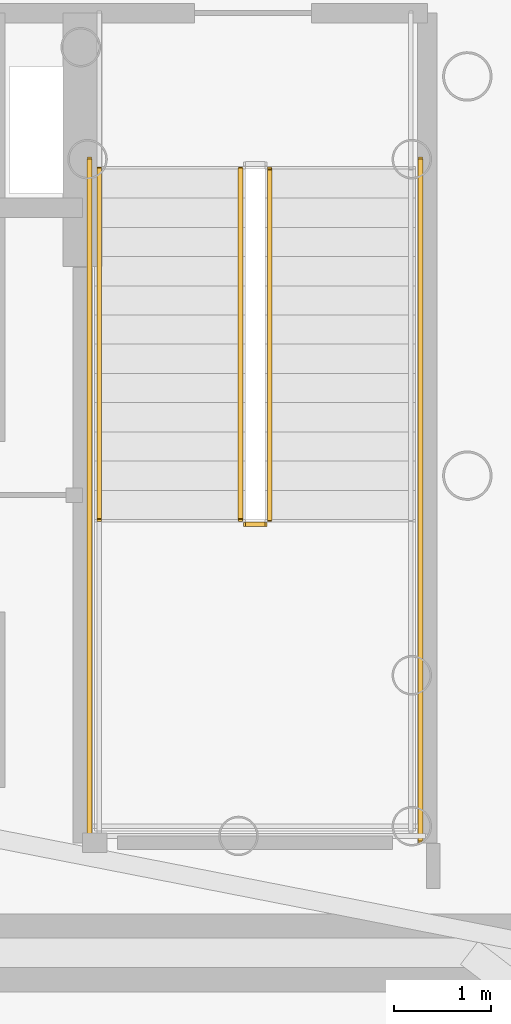
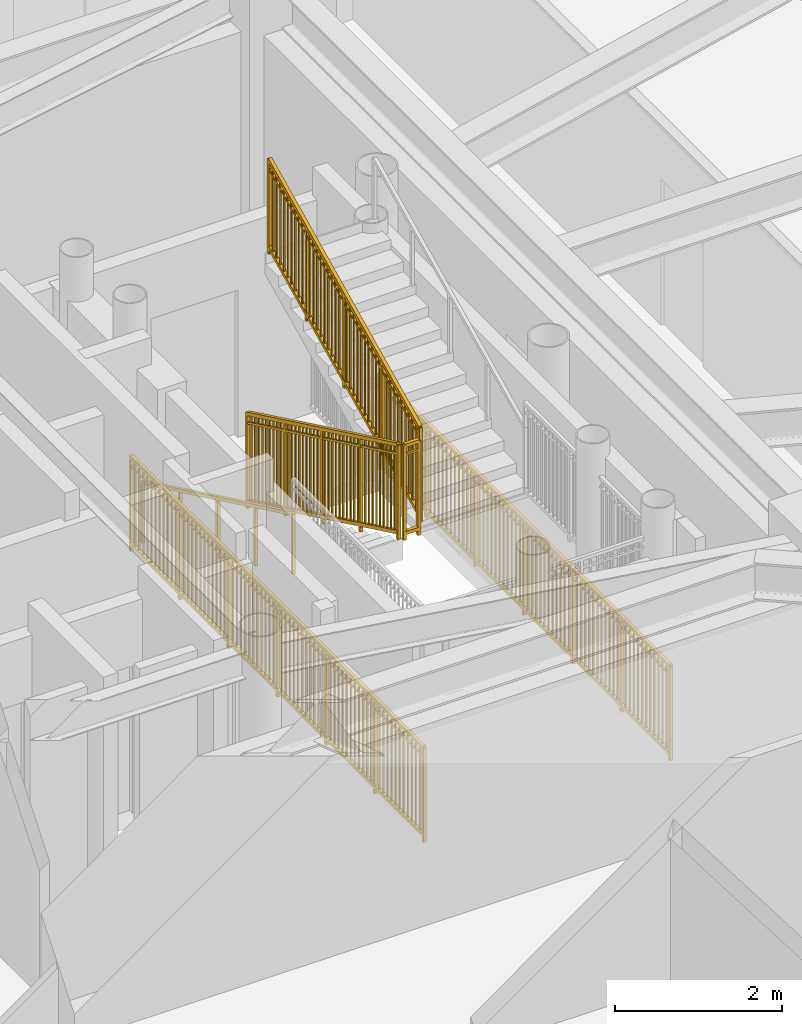
# One storey, part 20 of 21: 6 railings.
"""IFC4 building model written with IfcOpenShell, lengths in metres."""

from ifc_helpers import new_model, si_unit, direction, frame, origin, origin_2d, place, context, subcontext, project, spatial, rectangle, extrude, source, transform, mapped, material, type_object, element, save


model = new_model("IFC4")

# Units and contexts
model_context = context("Model", 3, precision=1e-05, world=origin(), true_north=direction((0.0, 1.0)))
body_context = subcontext(model_context, "Body", "Model", "MODEL_VIEW")
ifc_project = project(units=[si_unit("LENGTHUNIT", "METRE"), si_unit("AREAUNIT", "SQUARE_METRE"), si_unit("VOLUMEUNIT", "CUBIC_METRE"), si_unit("PLANEANGLEUNIT", "RADIAN"), si_unit("MASSUNIT", "GRAM", prefix="KILO")], contexts=[model_context])

# Site, building, storey
site_placement = place(None, origin())
site = spatial("IfcSite", under=ifc_project, at=site_placement, CompositionType="ELEMENT")
building_placement = place(site_placement, origin())
building = spatial("IfcBuilding", under=site, at=building_placement, Name="Linh Dai School and Residence Tower", CompositionType="ELEMENT")
storey_placement = place(building_placement, frame((0.0, 0.0, 115.949951171875)))
storey = spatial("IfcBuildingStorey", under=building, at=storey_placement, Name="L27", CompositionType="ELEMENT", Elevation=115.949951171875)

# Railings
ifc_material_1 = material(Name="Structural Steel S355JR", Category="steel")
railing_type_1 = type_object("IfcRailingType", Name="RL-ST-GUARD-1400", PredefinedType="GUARDRAIL", material=ifc_material_1)
shared_shape_1 = source(origin(), body_context, "Body", "SweptSolid", [
    extrude(rectangle(XDim=0.048095703125, YDim=0.048095703125, at=origin_2d()), frame((0.0, 0.0, 1.3759765625), z_axis=(0.0, 0.901262522062, 0.433273431364), x_axis=(-1.0, 0.0, 0.0)), (0.0, 0.0, 1.0), 3.994384765625),
    extrude(rectangle(XDim=0.048095703125, YDim=0.048095703125, at=origin_2d()), frame((0.0, 0.0, 0.10009765625), z_axis=(0.0, 0.901262522062, 0.433273431364), x_axis=(-1.0, 0.0, 0.0)), (0.0, 0.0, 1.0), 3.994384765625),
    extrude(rectangle(XDim=0.030029296875, YDim=0.030029296875, at=origin_2d()), frame((0.0, 0.0, 1.239990234375), z_axis=(0.0, 0.901262522062, 0.433273431364), x_axis=(-1.0, 0.0, 0.0)), (0.0, 0.0, 1.0), 3.994384765625),
    extrude(rectangle(XDim=0.02001953125, YDim=0.02001953125, at=origin_2d()), frame((0.0, 0.087890625, 0.142333984375)), (0.0, 0.0, 1.0), 1.251708984375),
    extrude(rectangle(XDim=0.02001953125, YDim=0.02001953125, at=origin_2d()), frame((0.0, 0.175537109375, 0.1845703125)), (0.0, 0.0, 1.0), 1.251708984375),
    extrude(rectangle(XDim=0.02001953125, YDim=0.02001953125, at=origin_2d()), frame((0.0, 0.263427734375, 0.226806640625)), (0.0, 0.0, 1.0), 1.251708984375),
    extrude(rectangle(XDim=0.02001953125, YDim=0.02001953125, at=origin_2d()), frame((0.0, 0.351318359375, 0.26904296875)), (0.0, 0.0, 1.0), 1.251708984375),
    extrude(rectangle(XDim=0.02001953125, YDim=0.02001953125, at=origin_2d()), frame((0.0, 0.43896484375, 0.311279296875)), (0.0, 0.0, 1.0), 1.251708984375),
    extrude(rectangle(XDim=0.02001953125, YDim=0.02001953125, at=origin_2d()), frame((0.0, 0.52685546875, 0.353271484375)), (0.0, 0.0, 1.0), 1.251708984375),
    extrude(rectangle(XDim=0.02001953125, YDim=0.02001953125, at=origin_2d()), frame((0.0, 0.61474609375, 0.3955078125)), (0.0, 0.0, 1.0), 1.251708984375),
    extrude(rectangle(XDim=0.02001953125, YDim=0.02001953125, at=origin_2d()), frame((0.0, 0.702392578125, 0.437744140625)), (0.0, 0.0, 1.0), 1.251708984375),
    extrude(rectangle(XDim=0.02001953125, YDim=0.02001953125, at=origin_2d()), frame((0.0, 0.790283203125, 0.47998046875)), (0.0, 0.0, 1.0), 1.251708984375),
    extrude(rectangle(XDim=0.02001953125, YDim=0.02001953125, at=origin_2d()), frame((0.0, 0.9658203125, 0.564453125)), (0.0, 0.0, 1.0), 1.251708984375),
    extrude(rectangle(XDim=0.02001953125, YDim=0.02001953125, at=origin_2d()), frame((0.0, 1.0537109375, 0.606689453125)), (0.0, 0.0, 1.0), 1.251708984375),
    extrude(rectangle(XDim=0.02001953125, YDim=0.02001953125, at=origin_2d()), frame((0.0, 1.1416015625, 0.64892578125)), (0.0, 0.0, 1.0), 1.251708984375),
    extrude(rectangle(XDim=0.02001953125, YDim=0.02001953125, at=origin_2d()), frame((0.0, 1.229248046875, 0.691162109375)), (0.0, 0.0, 1.0), 1.251708984375),
    extrude(rectangle(XDim=0.02001953125, YDim=0.02001953125, at=origin_2d()), frame((0.0, 1.317138671875, 0.7333984375)), (0.0, 0.0, 1.0), 1.251708984375),
    extrude(rectangle(XDim=0.02001953125, YDim=0.02001953125, at=origin_2d()), frame((0.0, 1.405029296875, 0.775390625)), (0.0, 0.0, 1.0), 1.251708984375),
    extrude(rectangle(XDim=0.02001953125, YDim=0.02001953125, at=origin_2d()), frame((0.0, 1.49267578125, 0.817626953125)), (0.0, 0.0, 1.0), 1.251708984375),
    extrude(rectangle(XDim=0.02001953125, YDim=0.02001953125, at=origin_2d()), frame((0.0, 1.58056640625, 0.85986328125)), (0.0, 0.0, 1.0), 1.251708984375),
    extrude(rectangle(XDim=0.02001953125, YDim=0.02001953125, at=origin_2d()), frame((0.0, 1.66845703125, 0.902099609375)), (0.0, 0.0, 1.0), 1.251708984375),
    extrude(rectangle(XDim=0.02001953125, YDim=0.02001953125, at=origin_2d()), frame((0.0, 1.756103515625, 0.9443359375)), (0.0, 0.0, 1.0), 1.251708984375),
    extrude(rectangle(XDim=0.02001953125, YDim=0.02001953125, at=origin_2d()), frame((0.0, 1.843994140625, 0.986572265625)), (0.0, 0.0, 1.0), 1.251708984375),
    extrude(rectangle(XDim=0.02001953125, YDim=0.02001953125, at=origin_2d()), frame((0.0, 1.931640625, 1.02880859375)), (0.0, 0.0, 1.0), 1.251708984375),
    extrude(rectangle(XDim=0.02001953125, YDim=0.02001953125, at=origin_2d()), frame((0.0, 2.01953125, 1.071044921875)), (0.0, 0.0, 1.0), 1.251708984375),
    extrude(rectangle(XDim=0.02001953125, YDim=0.02001953125, at=origin_2d()), frame((0.0, 2.107421875, 1.11328125)), (0.0, 0.0, 1.0), 1.251708984375),
    extrude(rectangle(XDim=0.02001953125, YDim=0.02001953125, at=origin_2d()), frame((0.0, 2.195068359375, 1.155517578125)), (0.0, 0.0, 1.0), 1.251708984375),
    extrude(rectangle(XDim=0.02001953125, YDim=0.02001953125, at=origin_2d()), frame((0.0, 2.282958984375, 1.197509765625)), (0.0, 0.0, 1.0), 1.251708984375),
    extrude(rectangle(XDim=0.02001953125, YDim=0.02001953125, at=origin_2d()), frame((0.0, 2.370849609375, 1.23974609375)), (0.0, 0.0, 1.0), 1.251708984375),
    extrude(rectangle(XDim=0.02001953125, YDim=0.02001953125, at=origin_2d()), frame((0.0, 2.45849609375, 1.281982421875)), (0.0, 0.0, 1.0), 1.251708984375),
    extrude(rectangle(XDim=0.02001953125, YDim=0.02001953125, at=origin_2d()), frame((0.0, 2.54638671875, 1.32421875)), (0.0, 0.0, 1.0), 1.251708984375),
    extrude(rectangle(XDim=0.02001953125, YDim=0.02001953125, at=origin_2d()), frame((0.0, 2.63427734375, 1.366455078125)), (0.0, 0.0, 1.0), 1.251708984375),
    extrude(rectangle(XDim=0.02001953125, YDim=0.02001953125, at=origin_2d()), frame((0.0, 2.809814453125, 1.450927734375)), (0.0, 0.0, 1.0), 1.251708984375),
    extrude(rectangle(XDim=0.02001953125, YDim=0.02001953125, at=origin_2d()), frame((0.0, 2.897705078125, 1.4931640625)), (0.0, 0.0, 1.0), 1.251708984375),
    extrude(rectangle(XDim=0.02001953125, YDim=0.02001953125, at=origin_2d()), frame((0.0, 2.9853515625, 1.535400390625)), (0.0, 0.0, 1.0), 1.251708984375),
    extrude(rectangle(XDim=0.02001953125, YDim=0.02001953125, at=origin_2d()), frame((0.0, 3.0732421875, 1.57763671875)), (0.0, 0.0, 1.0), 1.251708984375),
    extrude(rectangle(XDim=0.02001953125, YDim=0.02001953125, at=origin_2d()), frame((0.0, 3.1611328125, 1.61962890625)), (0.0, 0.0, 1.0), 1.251708984375),
    extrude(rectangle(XDim=0.02001953125, YDim=0.02001953125, at=origin_2d()), frame((0.0, 3.248779296875, 1.661865234375)), (0.0, 0.0, 1.0), 1.251708984375),
    extrude(rectangle(XDim=0.02001953125, YDim=0.02001953125, at=origin_2d()), frame((0.0, 3.336669921875, 1.7041015625)), (0.0, 0.0, 1.0), 1.251708984375),
    extrude(rectangle(XDim=0.02001953125, YDim=0.02001953125, at=origin_2d()), frame((0.0, 3.424560546875, 1.746337890625)), (0.0, 0.0, 1.0), 1.251708984375),
    extrude(rectangle(XDim=0.02001953125, YDim=0.02001953125, at=origin_2d()), frame((0.0, 3.51220703125, 1.78857421875)), (0.0, 0.0, 1.0), 1.251708984375),
    extrude(rectangle(XDim=0.0419921875, YDim=0.0419921875, at=origin_2d()), origin(), (0.0, 0.0, 1.0), 1.3759765625),
    extrude(rectangle(XDim=0.0419921875, YDim=0.0419921875, at=origin_2d()), frame((0.0, 0.89990234375, 0.4326171875)), (0.0, 0.0, 1.0), 1.3759765625),
    extrude(rectangle(XDim=0.0419921875, YDim=0.0419921875, at=origin_2d()), frame((0.0, 1.800048828125, 0.865234375)), (0.0, 0.0, 1.0), 1.3759765625),
    extrude(rectangle(XDim=0.0419921875, YDim=0.0419921875, at=origin_2d()), frame((0.0, 2.7001953125, 1.298095703125)), (0.0, 0.0, 1.0), 1.3759765625),
    extrude(rectangle(XDim=0.0419921875, YDim=0.0419921875, at=origin_2d()), frame((0.0, 3.60009765625, 1.730712890625)), (0.0, 0.0, 1.0), 1.3759765625),
])
railing_1_placement = place(storey_placement, frame((42.820068359375, 24.64990234375, 2.019287109375)))
element("IfcRailing", 1, at=railing_1_placement, inside=storey, type_object=railing_type_1, Name="L27 ST2 stair guard 6", PredefinedType="GUARDRAIL", context=body_context, shape_type="MappedRepresentation", body=[
    mapped(shared_shape_1, transform((0.0, 0.0, 0.0), x_axis=(1.0, 0.0, 0.0), y_axis=(0.0, 1.0, 0.0), z_axis=(0.0, 0.0, 1.0), scale=1.0)),
])
shared_shape_2 = source(origin(), body_context, "Body", "SweptSolid", [
    extrude(rectangle(XDim=0.048095703125, YDim=0.048095703125, at=origin_2d()), frame((0.0, 0.0, 1.3759765625), z_axis=(0.0, -0.901262522062, 0.433273431364), x_axis=(1.0, 0.0, 0.0)), (0.0, 0.0, 1.0), 3.994384765625),
    extrude(rectangle(XDim=0.048095703125, YDim=0.048095703125, at=origin_2d()), frame((0.0, 0.0, 0.10009765625), z_axis=(0.0, -0.901262522062, 0.433273431364), x_axis=(1.0, 0.0, 0.0)), (0.0, 0.0, 1.0), 3.994384765625),
    extrude(rectangle(XDim=0.030029296875, YDim=0.030029296875, at=origin_2d()), frame((0.0, 0.0, 1.239990234375), z_axis=(0.0, -0.901262522062, 0.433273431364), x_axis=(1.0, 0.0, 0.0)), (0.0, 0.0, 1.0), 3.994384765625),
    extrude(rectangle(XDim=0.02001953125, YDim=0.02001953125, at=origin_2d()), frame((0.0, -0.087890625, 0.142333984375)), (0.0, 0.0, 1.0), 1.251708984375),
    extrude(rectangle(XDim=0.02001953125, YDim=0.02001953125, at=origin_2d()), frame((0.0, -0.175537109375, 0.1845703125)), (0.0, 0.0, 1.0), 1.251708984375),
    extrude(rectangle(XDim=0.02001953125, YDim=0.02001953125, at=origin_2d()), frame((0.0, -0.263427734375, 0.226806640625)), (0.0, 0.0, 1.0), 1.251708984375),
    extrude(rectangle(XDim=0.02001953125, YDim=0.02001953125, at=origin_2d()), frame((0.0, -0.351318359375, 0.26904296875)), (0.0, 0.0, 1.0), 1.251708984375),
    extrude(rectangle(XDim=0.02001953125, YDim=0.02001953125, at=origin_2d()), frame((0.0, -0.43896484375, 0.311279296875)), (0.0, 0.0, 1.0), 1.251708984375),
    extrude(rectangle(XDim=0.02001953125, YDim=0.02001953125, at=origin_2d()), frame((0.0, -0.52685546875, 0.353271484375)), (0.0, 0.0, 1.0), 1.251708984375),
    extrude(rectangle(XDim=0.02001953125, YDim=0.02001953125, at=origin_2d()), frame((0.0, -0.61474609375, 0.3955078125)), (0.0, 0.0, 1.0), 1.251708984375),
    extrude(rectangle(XDim=0.02001953125, YDim=0.02001953125, at=origin_2d()), frame((0.0, -0.702392578125, 0.437744140625)), (0.0, 0.0, 1.0), 1.251708984375),
    extrude(rectangle(XDim=0.02001953125, YDim=0.02001953125, at=origin_2d()), frame((0.0, -0.790283203125, 0.47998046875)), (0.0, 0.0, 1.0), 1.251708984375),
    extrude(rectangle(XDim=0.02001953125, YDim=0.02001953125, at=origin_2d()), frame((0.0, -0.9658203125, 0.564453125)), (0.0, 0.0, 1.0), 1.251708984375),
    extrude(rectangle(XDim=0.02001953125, YDim=0.02001953125, at=origin_2d()), frame((0.0, -1.0537109375, 0.606689453125)), (0.0, 0.0, 1.0), 1.251708984375),
    extrude(rectangle(XDim=0.02001953125, YDim=0.02001953125, at=origin_2d()), frame((0.0, -1.1416015625, 0.64892578125)), (0.0, 0.0, 1.0), 1.251708984375),
    extrude(rectangle(XDim=0.02001953125, YDim=0.02001953125, at=origin_2d()), frame((0.0, -1.229248046875, 0.691162109375)), (0.0, 0.0, 1.0), 1.251708984375),
    extrude(rectangle(XDim=0.02001953125, YDim=0.02001953125, at=origin_2d()), frame((0.0, -1.317138671875, 0.7333984375)), (0.0, 0.0, 1.0), 1.251708984375),
    extrude(rectangle(XDim=0.02001953125, YDim=0.02001953125, at=origin_2d()), frame((0.0, -1.405029296875, 0.775390625)), (0.0, 0.0, 1.0), 1.251708984375),
    extrude(rectangle(XDim=0.02001953125, YDim=0.02001953125, at=origin_2d()), frame((0.0, -1.49267578125, 0.817626953125)), (0.0, 0.0, 1.0), 1.251708984375),
    extrude(rectangle(XDim=0.02001953125, YDim=0.02001953125, at=origin_2d()), frame((0.0, -1.58056640625, 0.85986328125)), (0.0, 0.0, 1.0), 1.251708984375),
    extrude(rectangle(XDim=0.02001953125, YDim=0.02001953125, at=origin_2d()), frame((0.0, -1.66845703125, 0.902099609375)), (0.0, 0.0, 1.0), 1.251708984375),
    extrude(rectangle(XDim=0.02001953125, YDim=0.02001953125, at=origin_2d()), frame((0.0, -1.756103515625, 0.9443359375)), (0.0, 0.0, 1.0), 1.251708984375),
    extrude(rectangle(XDim=0.02001953125, YDim=0.02001953125, at=origin_2d()), frame((0.0, -1.843994140625, 0.986572265625)), (0.0, 0.0, 1.0), 1.251708984375),
    extrude(rectangle(XDim=0.02001953125, YDim=0.02001953125, at=origin_2d()), frame((0.0, -1.931640625, 1.02880859375)), (0.0, 0.0, 1.0), 1.251708984375),
    extrude(rectangle(XDim=0.02001953125, YDim=0.02001953125, at=origin_2d()), frame((0.0, -2.01953125, 1.071044921875)), (0.0, 0.0, 1.0), 1.251708984375),
    extrude(rectangle(XDim=0.02001953125, YDim=0.02001953125, at=origin_2d()), frame((0.0, -2.107421875, 1.11328125)), (0.0, 0.0, 1.0), 1.251708984375),
    extrude(rectangle(XDim=0.02001953125, YDim=0.02001953125, at=origin_2d()), frame((0.0, -2.195068359375, 1.155517578125)), (0.0, 0.0, 1.0), 1.251708984375),
    extrude(rectangle(XDim=0.02001953125, YDim=0.02001953125, at=origin_2d()), frame((0.0, -2.282958984375, 1.197509765625)), (0.0, 0.0, 1.0), 1.251708984375),
    extrude(rectangle(XDim=0.02001953125, YDim=0.02001953125, at=origin_2d()), frame((0.0, -2.370849609375, 1.23974609375)), (0.0, 0.0, 1.0), 1.251708984375),
    extrude(rectangle(XDim=0.02001953125, YDim=0.02001953125, at=origin_2d()), frame((0.0, -2.45849609375, 1.281982421875)), (0.0, 0.0, 1.0), 1.251708984375),
    extrude(rectangle(XDim=0.02001953125, YDim=0.02001953125, at=origin_2d()), frame((0.0, -2.54638671875, 1.32421875)), (0.0, 0.0, 1.0), 1.251708984375),
    extrude(rectangle(XDim=0.02001953125, YDim=0.02001953125, at=origin_2d()), frame((0.0, -2.63427734375, 1.366455078125)), (0.0, 0.0, 1.0), 1.251708984375),
    extrude(rectangle(XDim=0.02001953125, YDim=0.02001953125, at=origin_2d()), frame((0.0, -2.809814453125, 1.450927734375)), (0.0, 0.0, 1.0), 1.251708984375),
    extrude(rectangle(XDim=0.02001953125, YDim=0.02001953125, at=origin_2d()), frame((0.0, -2.897705078125, 1.4931640625)), (0.0, 0.0, 1.0), 1.251708984375),
    extrude(rectangle(XDim=0.02001953125, YDim=0.02001953125, at=origin_2d()), frame((0.0, -2.9853515625, 1.535400390625)), (0.0, 0.0, 1.0), 1.251708984375),
    extrude(rectangle(XDim=0.02001953125, YDim=0.02001953125, at=origin_2d()), frame((0.0, -3.0732421875, 1.57763671875)), (0.0, 0.0, 1.0), 1.251708984375),
    extrude(rectangle(XDim=0.02001953125, YDim=0.02001953125, at=origin_2d()), frame((0.0, -3.1611328125, 1.61962890625)), (0.0, 0.0, 1.0), 1.251708984375),
    extrude(rectangle(XDim=0.02001953125, YDim=0.02001953125, at=origin_2d()), frame((0.0, -3.248779296875, 1.661865234375)), (0.0, 0.0, 1.0), 1.251708984375),
    extrude(rectangle(XDim=0.02001953125, YDim=0.02001953125, at=origin_2d()), frame((0.0, -3.336669921875, 1.7041015625)), (0.0, 0.0, 1.0), 1.251708984375),
    extrude(rectangle(XDim=0.02001953125, YDim=0.02001953125, at=origin_2d()), frame((0.0, -3.424560546875, 1.746337890625)), (0.0, 0.0, 1.0), 1.251708984375),
    extrude(rectangle(XDim=0.02001953125, YDim=0.02001953125, at=origin_2d()), frame((0.0, -3.51220703125, 1.78857421875)), (0.0, 0.0, 1.0), 1.251708984375),
    extrude(rectangle(XDim=0.0419921875, YDim=0.0419921875, at=origin_2d()), origin(), (0.0, 0.0, 1.0), 1.3759765625),
    extrude(rectangle(XDim=0.0419921875, YDim=0.0419921875, at=origin_2d()), frame((0.0, -0.89990234375, 0.4326171875)), (0.0, 0.0, 1.0), 1.3759765625),
    extrude(rectangle(XDim=0.0419921875, YDim=0.0419921875, at=origin_2d()), frame((0.0, -1.800048828125, 0.865234375)), (0.0, 0.0, 1.0), 1.3759765625),
    extrude(rectangle(XDim=0.0419921875, YDim=0.0419921875, at=origin_2d()), frame((0.0, -2.7001953125, 1.298095703125)), (0.0, 0.0, 1.0), 1.3759765625),
    extrude(rectangle(XDim=0.0419921875, YDim=0.0419921875, at=origin_2d()), frame((0.0, -3.60009765625, 1.730712890625)), (0.0, 0.0, 1.0), 1.3759765625),
])
railing_2_placement = place(storey_placement, frame((42.52001953125, 28.25, 0.144287109375)))
element("IfcRailing", 2, at=railing_2_placement, inside=storey, type_object=railing_type_1, Name="L27 ST2 stair guard 1", PredefinedType="GUARDRAIL", context=body_context, shape_type="MappedRepresentation", body=[
    mapped(shared_shape_2, transform((0.0, 0.0, 0.0), x_axis=(1.0, 0.0, 0.0), y_axis=(0.0, 1.0, 0.0), z_axis=(0.0, 0.0, 1.0), scale=1.0)),
])
ifc_material_2 = material(Name="Brushed Stainless Steel Handrail", Category="steel")
railing_type_2 = type_object("IfcRailingType", Name="RL-ST-HANDRAIL-900", PredefinedType="HANDRAIL", material=ifc_material_2)
shared_shape_3 = source(origin(), body_context, "Body", "SweptSolid", [
    extrude(rectangle(XDim=0.048095703125, YDim=0.048095703125, at=origin_2d()), frame((0.0, 0.0, 0.8759765625), z_axis=(0.0, -0.901262522062, 0.433273431364), x_axis=(1.0, 0.0, 0.0)), (0.0, 0.0, 1.0), 3.994384765625),
    extrude(rectangle(XDim=0.0419921875, YDim=0.0419921875, at=origin_2d()), origin(), (0.0, 0.0, 1.0), 0.8759765625),
    extrude(rectangle(XDim=0.0419921875, YDim=0.0419921875, at=origin_2d()), frame((0.0, -0.89990234375, 0.4326171875)), (0.0, 0.0, 1.0), 0.8759765625),
    extrude(rectangle(XDim=0.0419921875, YDim=0.0419921875, at=origin_2d()), frame((0.0, -1.800048828125, 0.865234375)), (0.0, 0.0, 1.0), 0.8759765625),
    extrude(rectangle(XDim=0.0419921875, YDim=0.0419921875, at=origin_2d()), frame((0.0, -2.7001953125, 1.298095703125)), (0.0, 0.0, 1.0), 0.8759765625),
    extrude(rectangle(XDim=0.0419921875, YDim=0.0419921875, at=origin_2d()), frame((0.0, -3.60009765625, 1.730712890625)), (0.0, 0.0, 1.0), 0.8759765625),
])
railing_3_placement = place(storey_placement, frame((41.070068359375, 28.25, 0.144287109375)))
element("IfcRailing", 3, at=railing_3_placement, inside=storey, type_object=railing_type_2, Name="L27 ST2 stair handrail 1", PredefinedType="HANDRAIL", context=body_context, shape_type="MappedRepresentation", body=[
    mapped(shared_shape_3, transform((0.0, 0.0, 0.0), x_axis=(1.0, 0.0, 0.0), y_axis=(0.0, 1.0, 0.0), z_axis=(0.0, 0.0, 1.0), scale=1.0)),
])
shared_shape_4 = source(origin(), body_context, "Body", "SweptSolid", [
    extrude(rectangle(XDim=0.048095703125, YDim=0.048095703125, at=origin_2d()), frame((0.0, 0.0, 1.3759765625), z_axis=(1.0, 0.0, 0.0), x_axis=(0.0, 1.0, 0.0)), (0.0, 0.0, 1.0), 0.199951171875),
    extrude(rectangle(XDim=0.048095703125, YDim=0.048095703125, at=origin_2d()), frame((0.0, 0.0, 0.10009765625), z_axis=(1.0, 0.0, 0.0), x_axis=(0.0, 1.0, 0.0)), (0.0, 0.0, 1.0), 0.199951171875),
    extrude(rectangle(XDim=0.030029296875, YDim=0.030029296875, at=origin_2d()), frame((0.0, 0.0, 1.239990234375), z_axis=(1.0, 0.0, 0.0), x_axis=(0.0, 1.0, 0.0)), (0.0, 0.0, 1.0), 0.199951171875),
    extrude(rectangle(XDim=0.0419921875, YDim=0.0419921875, at=origin_2d()), origin(), (0.0, 0.0, 1.0), 1.3759765625),
    extrude(rectangle(XDim=0.0419921875, YDim=0.0419921875, at=origin_2d()), frame((0.199951171875, 0.0, 0.0)), (0.0, 0.0, 1.0), 1.3759765625),
])
railing_4_placement = place(storey_placement, frame((42.570068359375, 24.60009765625, 1.875)))
element("IfcRailing", 4, at=railing_4_placement, inside=storey, type_object=railing_type_1, Name="L27 ST2 stair guard 2", PredefinedType="GUARDRAIL", context=body_context, shape_type="MappedRepresentation", body=[
    mapped(shared_shape_4, transform((0.0, 0.0, 0.0), x_axis=(1.0, 0.0, 0.0), y_axis=(0.0, 1.0, 0.0), z_axis=(0.0, 0.0, 1.0), scale=1.0)),
])
shared_shape_5 = source(origin(), body_context, "Body", "SweptSolid", [
    extrude(rectangle(XDim=0.048095703125, YDim=0.048095703125, at=origin_2d()), frame((0.0, 0.0, 1.3759765625), z_axis=(0.0, -1.0, 0.0), x_axis=(1.0, 0.0, 0.0)), (0.0, 0.0, 1.0), 7.0),
    extrude(rectangle(XDim=0.048095703125, YDim=0.048095703125, at=origin_2d()), frame((0.0, 0.0, 0.10009765625), z_axis=(0.0, -1.0, 0.0), x_axis=(1.0, 0.0, 0.0)), (0.0, 0.0, 1.0), 7.0),
    extrude(rectangle(XDim=0.030029296875, YDim=0.030029296875, at=origin_2d()), frame((0.0, 0.0, 1.239990234375), z_axis=(0.0, -1.0, 0.0), x_axis=(1.0, 0.0, 0.0)), (0.0, 0.0, 1.0), 7.0),
    extrude(rectangle(XDim=0.02001953125, YDim=0.02001953125, at=origin_2d()), frame((0.0, -0.09716796875, 0.10009765625)), (0.0, 0.0, 1.0), 1.251708984375),
    extrude(rectangle(XDim=0.02001953125, YDim=0.02001953125, at=origin_2d()), frame((0.0, -0.1943359375, 0.10009765625)), (0.0, 0.0, 1.0), 1.251708984375),
    extrude(rectangle(XDim=0.02001953125, YDim=0.02001953125, at=origin_2d()), frame((0.0, -0.291748046875, 0.10009765625)), (0.0, 0.0, 1.0), 1.251708984375),
    extrude(rectangle(XDim=0.02001953125, YDim=0.02001953125, at=origin_2d()), frame((0.0, -0.388916015625, 0.10009765625)), (0.0, 0.0, 1.0), 1.251708984375),
    extrude(rectangle(XDim=0.02001953125, YDim=0.02001953125, at=origin_2d()), frame((0.0, -0.486083984375, 0.10009765625)), (0.0, 0.0, 1.0), 1.251708984375),
    extrude(rectangle(XDim=0.02001953125, YDim=0.02001953125, at=origin_2d()), frame((0.0, -0.583251953125, 0.10009765625)), (0.0, 0.0, 1.0), 1.251708984375),
    extrude(rectangle(XDim=0.02001953125, YDim=0.02001953125, at=origin_2d()), frame((0.0, -0.6806640625, 0.10009765625)), (0.0, 0.0, 1.0), 1.251708984375),
    extrude(rectangle(XDim=0.02001953125, YDim=0.02001953125, at=origin_2d()), frame((0.0, -0.77783203125, 0.10009765625)), (0.0, 0.0, 1.0), 1.251708984375),
    extrude(rectangle(XDim=0.02001953125, YDim=0.02001953125, at=origin_2d()), frame((0.0, -0.875, 0.10009765625)), (0.0, 0.0, 1.0), 1.251708984375),
    extrude(rectangle(XDim=0.02001953125, YDim=0.02001953125, at=origin_2d()), frame((0.0, -0.97216796875, 0.10009765625)), (0.0, 0.0, 1.0), 1.251708984375),
    extrude(rectangle(XDim=0.02001953125, YDim=0.02001953125, at=origin_2d()), frame((0.0, -1.0693359375, 0.10009765625)), (0.0, 0.0, 1.0), 1.251708984375),
    extrude(rectangle(XDim=0.02001953125, YDim=0.02001953125, at=origin_2d()), frame((0.0, -1.263916015625, 0.10009765625)), (0.0, 0.0, 1.0), 1.251708984375),
    extrude(rectangle(XDim=0.02001953125, YDim=0.02001953125, at=origin_2d()), frame((0.0, -1.361083984375, 0.10009765625)), (0.0, 0.0, 1.0), 1.251708984375),
    extrude(rectangle(XDim=0.02001953125, YDim=0.02001953125, at=origin_2d()), frame((0.0, -1.458251953125, 0.10009765625)), (0.0, 0.0, 1.0), 1.251708984375),
    extrude(rectangle(XDim=0.02001953125, YDim=0.02001953125, at=origin_2d()), frame((0.0, -1.5556640625, 0.10009765625)), (0.0, 0.0, 1.0), 1.251708984375),
    extrude(rectangle(XDim=0.02001953125, YDim=0.02001953125, at=origin_2d()), frame((0.0, -1.65283203125, 0.10009765625)), (0.0, 0.0, 1.0), 1.251708984375),
    extrude(rectangle(XDim=0.02001953125, YDim=0.02001953125, at=origin_2d()), frame((0.0, -1.75, 0.10009765625)), (0.0, 0.0, 1.0), 1.251708984375),
    extrude(rectangle(XDim=0.02001953125, YDim=0.02001953125, at=origin_2d()), frame((0.0, -1.84716796875, 0.10009765625)), (0.0, 0.0, 1.0), 1.251708984375),
    extrude(rectangle(XDim=0.02001953125, YDim=0.02001953125, at=origin_2d()), frame((0.0, -1.9443359375, 0.10009765625)), (0.0, 0.0, 1.0), 1.251708984375),
    extrude(rectangle(XDim=0.02001953125, YDim=0.02001953125, at=origin_2d()), frame((0.0, -2.041748046875, 0.10009765625)), (0.0, 0.0, 1.0), 1.251708984375),
    extrude(rectangle(XDim=0.02001953125, YDim=0.02001953125, at=origin_2d()), frame((0.0, -2.138916015625, 0.10009765625)), (0.0, 0.0, 1.0), 1.251708984375),
    extrude(rectangle(XDim=0.02001953125, YDim=0.02001953125, at=origin_2d()), frame((0.0, -2.236083984375, 0.10009765625)), (0.0, 0.0, 1.0), 1.251708984375),
    extrude(rectangle(XDim=0.02001953125, YDim=0.02001953125, at=origin_2d()), frame((0.0, -2.4306640625, 0.10009765625)), (0.0, 0.0, 1.0), 1.251708984375),
    extrude(rectangle(XDim=0.02001953125, YDim=0.02001953125, at=origin_2d()), frame((0.0, -2.52783203125, 0.10009765625)), (0.0, 0.0, 1.0), 1.251708984375),
    extrude(rectangle(XDim=0.02001953125, YDim=0.02001953125, at=origin_2d()), frame((0.0, -2.625, 0.10009765625)), (0.0, 0.0, 1.0), 1.251708984375),
    extrude(rectangle(XDim=0.02001953125, YDim=0.02001953125, at=origin_2d()), frame((0.0, -2.72216796875, 0.10009765625)), (0.0, 0.0, 1.0), 1.251708984375),
    extrude(rectangle(XDim=0.02001953125, YDim=0.02001953125, at=origin_2d()), frame((0.0, -2.8193359375, 0.10009765625)), (0.0, 0.0, 1.0), 1.251708984375),
    extrude(rectangle(XDim=0.02001953125, YDim=0.02001953125, at=origin_2d()), frame((0.0, -2.916748046875, 0.10009765625)), (0.0, 0.0, 1.0), 1.251708984375),
    extrude(rectangle(XDim=0.02001953125, YDim=0.02001953125, at=origin_2d()), frame((0.0, -3.013916015625, 0.10009765625)), (0.0, 0.0, 1.0), 1.251708984375),
    extrude(rectangle(XDim=0.02001953125, YDim=0.02001953125, at=origin_2d()), frame((0.0, -3.111083984375, 0.10009765625)), (0.0, 0.0, 1.0), 1.251708984375),
    extrude(rectangle(XDim=0.02001953125, YDim=0.02001953125, at=origin_2d()), frame((0.0, -3.208251953125, 0.10009765625)), (0.0, 0.0, 1.0), 1.251708984375),
    extrude(rectangle(XDim=0.02001953125, YDim=0.02001953125, at=origin_2d()), frame((0.0, -3.3056640625, 0.10009765625)), (0.0, 0.0, 1.0), 1.251708984375),
    extrude(rectangle(XDim=0.02001953125, YDim=0.02001953125, at=origin_2d()), frame((0.0, -3.40283203125, 0.10009765625)), (0.0, 0.0, 1.0), 1.251708984375),
    extrude(rectangle(XDim=0.02001953125, YDim=0.02001953125, at=origin_2d()), frame((0.0, -3.59716796875, 0.10009765625)), (0.0, 0.0, 1.0), 1.251708984375),
    extrude(rectangle(XDim=0.02001953125, YDim=0.02001953125, at=origin_2d()), frame((0.0, -3.6943359375, 0.10009765625)), (0.0, 0.0, 1.0), 1.251708984375),
    extrude(rectangle(XDim=0.02001953125, YDim=0.02001953125, at=origin_2d()), frame((0.0, -3.791748046875, 0.10009765625)), (0.0, 0.0, 1.0), 1.251708984375),
    extrude(rectangle(XDim=0.02001953125, YDim=0.02001953125, at=origin_2d()), frame((0.0, -3.888916015625, 0.10009765625)), (0.0, 0.0, 1.0), 1.251708984375),
    extrude(rectangle(XDim=0.02001953125, YDim=0.02001953125, at=origin_2d()), frame((0.0, -3.986083984375, 0.10009765625)), (0.0, 0.0, 1.0), 1.251708984375),
    extrude(rectangle(XDim=0.02001953125, YDim=0.02001953125, at=origin_2d()), frame((0.0, -4.083251953125, 0.10009765625)), (0.0, 0.0, 1.0), 1.251708984375),
    extrude(rectangle(XDim=0.02001953125, YDim=0.02001953125, at=origin_2d()), frame((0.0, -4.1806640625, 0.10009765625)), (0.0, 0.0, 1.0), 1.251708984375),
    extrude(rectangle(XDim=0.02001953125, YDim=0.02001953125, at=origin_2d()), frame((0.0, -4.27783203125, 0.10009765625)), (0.0, 0.0, 1.0), 1.251708984375),
    extrude(rectangle(XDim=0.02001953125, YDim=0.02001953125, at=origin_2d()), frame((0.0, -4.375, 0.10009765625)), (0.0, 0.0, 1.0), 1.251708984375),
    extrude(rectangle(XDim=0.02001953125, YDim=0.02001953125, at=origin_2d()), frame((0.0, -4.47216796875, 0.10009765625)), (0.0, 0.0, 1.0), 1.251708984375),
    extrude(rectangle(XDim=0.02001953125, YDim=0.02001953125, at=origin_2d()), frame((0.0, -4.5693359375, 0.10009765625)), (0.0, 0.0, 1.0), 1.251708984375),
    extrude(rectangle(XDim=0.02001953125, YDim=0.02001953125, at=origin_2d()), frame((0.0, -4.763916015625, 0.10009765625)), (0.0, 0.0, 1.0), 1.251708984375),
    extrude(rectangle(XDim=0.02001953125, YDim=0.02001953125, at=origin_2d()), frame((0.0, -4.861083984375, 0.10009765625)), (0.0, 0.0, 1.0), 1.251708984375),
    extrude(rectangle(XDim=0.02001953125, YDim=0.02001953125, at=origin_2d()), frame((0.0, -4.958251953125, 0.10009765625)), (0.0, 0.0, 1.0), 1.251708984375),
    extrude(rectangle(XDim=0.02001953125, YDim=0.02001953125, at=origin_2d()), frame((0.0, -5.0556640625, 0.10009765625)), (0.0, 0.0, 1.0), 1.251708984375),
    extrude(rectangle(XDim=0.02001953125, YDim=0.02001953125, at=origin_2d()), frame((0.0, -5.15283203125, 0.10009765625)), (0.0, 0.0, 1.0), 1.251708984375),
    extrude(rectangle(XDim=0.02001953125, YDim=0.02001953125, at=origin_2d()), frame((0.0, -5.25, 0.10009765625)), (0.0, 0.0, 1.0), 1.251708984375),
    extrude(rectangle(XDim=0.02001953125, YDim=0.02001953125, at=origin_2d()), frame((0.0, -5.34716796875, 0.10009765625)), (0.0, 0.0, 1.0), 1.251708984375),
    extrude(rectangle(XDim=0.02001953125, YDim=0.02001953125, at=origin_2d()), frame((0.0, -5.4443359375, 0.10009765625)), (0.0, 0.0, 1.0), 1.251708984375),
    extrude(rectangle(XDim=0.02001953125, YDim=0.02001953125, at=origin_2d()), frame((0.0, -5.541748046875, 0.10009765625)), (0.0, 0.0, 1.0), 1.251708984375),
    extrude(rectangle(XDim=0.02001953125, YDim=0.02001953125, at=origin_2d()), frame((0.0, -5.638916015625, 0.10009765625)), (0.0, 0.0, 1.0), 1.251708984375),
    extrude(rectangle(XDim=0.02001953125, YDim=0.02001953125, at=origin_2d()), frame((0.0, -5.736083984375, 0.10009765625)), (0.0, 0.0, 1.0), 1.251708984375),
    extrude(rectangle(XDim=0.02001953125, YDim=0.02001953125, at=origin_2d()), frame((0.0, -5.9306640625, 0.10009765625)), (0.0, 0.0, 1.0), 1.251708984375),
    extrude(rectangle(XDim=0.02001953125, YDim=0.02001953125, at=origin_2d()), frame((0.0, -6.02783203125, 0.10009765625)), (0.0, 0.0, 1.0), 1.251708984375),
    extrude(rectangle(XDim=0.02001953125, YDim=0.02001953125, at=origin_2d()), frame((0.0, -6.125, 0.10009765625)), (0.0, 0.0, 1.0), 1.251708984375),
    extrude(rectangle(XDim=0.02001953125, YDim=0.02001953125, at=origin_2d()), frame((0.0, -6.22216796875, 0.10009765625)), (0.0, 0.0, 1.0), 1.251708984375),
    extrude(rectangle(XDim=0.02001953125, YDim=0.02001953125, at=origin_2d()), frame((0.0, -6.3193359375, 0.10009765625)), (0.0, 0.0, 1.0), 1.251708984375),
    extrude(rectangle(XDim=0.02001953125, YDim=0.02001953125, at=origin_2d()), frame((0.0, -6.416748046875, 0.10009765625)), (0.0, 0.0, 1.0), 1.251708984375),
    extrude(rectangle(XDim=0.02001953125, YDim=0.02001953125, at=origin_2d()), frame((0.0, -6.513916015625, 0.10009765625)), (0.0, 0.0, 1.0), 1.251708984375),
    extrude(rectangle(XDim=0.02001953125, YDim=0.02001953125, at=origin_2d()), frame((0.0, -6.611083984375, 0.10009765625)), (0.0, 0.0, 1.0), 1.251708984375),
    extrude(rectangle(XDim=0.02001953125, YDim=0.02001953125, at=origin_2d()), frame((0.0, -6.708251953125, 0.10009765625)), (0.0, 0.0, 1.0), 1.251708984375),
    extrude(rectangle(XDim=0.02001953125, YDim=0.02001953125, at=origin_2d()), frame((0.0, -6.8056640625, 0.10009765625)), (0.0, 0.0, 1.0), 1.251708984375),
    extrude(rectangle(XDim=0.02001953125, YDim=0.02001953125, at=origin_2d()), frame((0.0, -6.90283203125, 0.10009765625)), (0.0, 0.0, 1.0), 1.251708984375),
    extrude(rectangle(XDim=0.0419921875, YDim=0.0419921875, at=origin_2d()), origin(), (0.0, 0.0, 1.0), 1.3759765625),
    extrude(rectangle(XDim=0.0419921875, YDim=0.0419921875, at=origin_2d()), frame((0.0, -1.166748046875, 0.0)), (0.0, 0.0, 1.0), 1.3759765625),
    extrude(rectangle(XDim=0.0419921875, YDim=0.0419921875, at=origin_2d()), frame((0.0, -2.333251953125, 0.0)), (0.0, 0.0, 1.0), 1.3759765625),
    extrude(rectangle(XDim=0.0419921875, YDim=0.0419921875, at=origin_2d()), frame((0.0, -3.5, 0.0)), (0.0, 0.0, 1.0), 1.3759765625),
    extrude(rectangle(XDim=0.0419921875, YDim=0.0419921875, at=origin_2d()), frame((0.0, -4.666748046875, 0.0)), (0.0, 0.0, 1.0), 1.3759765625),
    extrude(rectangle(XDim=0.0419921875, YDim=0.0419921875, at=origin_2d()), frame((0.0, -5.833251953125, 0.0)), (0.0, 0.0, 1.0), 1.3759765625),
    extrude(rectangle(XDim=0.0419921875, YDim=0.0419921875, at=origin_2d()), frame((0.0, -7.0, 0.0)), (0.0, 0.0, 1.0), 1.3759765625),
])
for number, where, name in (
    (5, (40.969970703125, 28.35009765625, 0.0), "L27 ST2 stair guard 10"),
    (6, (44.3701171875, 28.35009765625, 0.0), "L27 ST2 stair guard 11"),
):
    element("IfcRailing", number, at=place(storey_placement, frame(where)), inside=storey, type_object=railing_type_1, Name=name, PredefinedType="GUARDRAIL", context=body_context, shape_type="MappedRepresentation", body=[
        mapped(shared_shape_5, transform((0.0, 0.0, 0.0), x_axis=(1.0, 0.0, 0.0), y_axis=(0.0, 1.0, 0.0), z_axis=(0.0, 0.0, 1.0), scale=1.0)),
    ])

save(model, "model.ifc")
